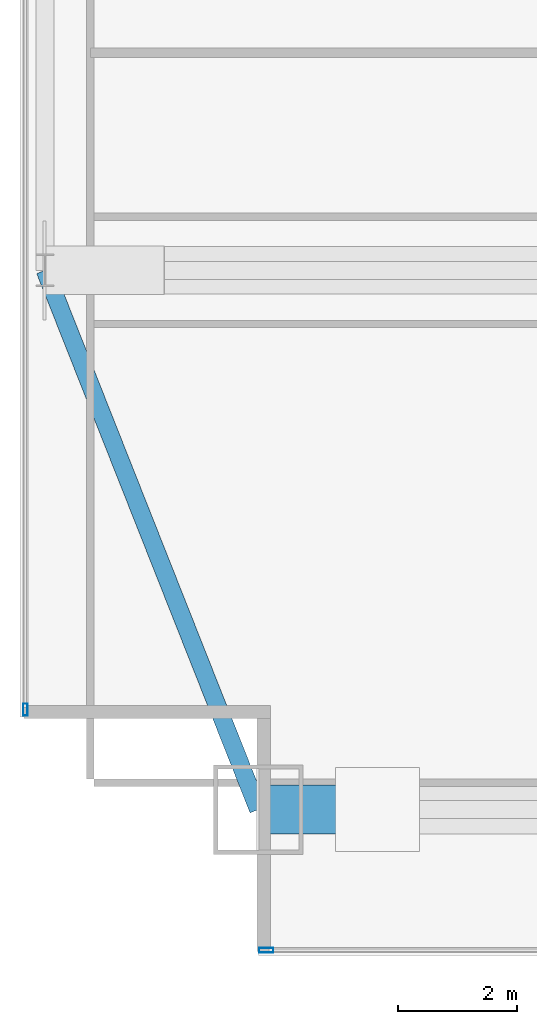
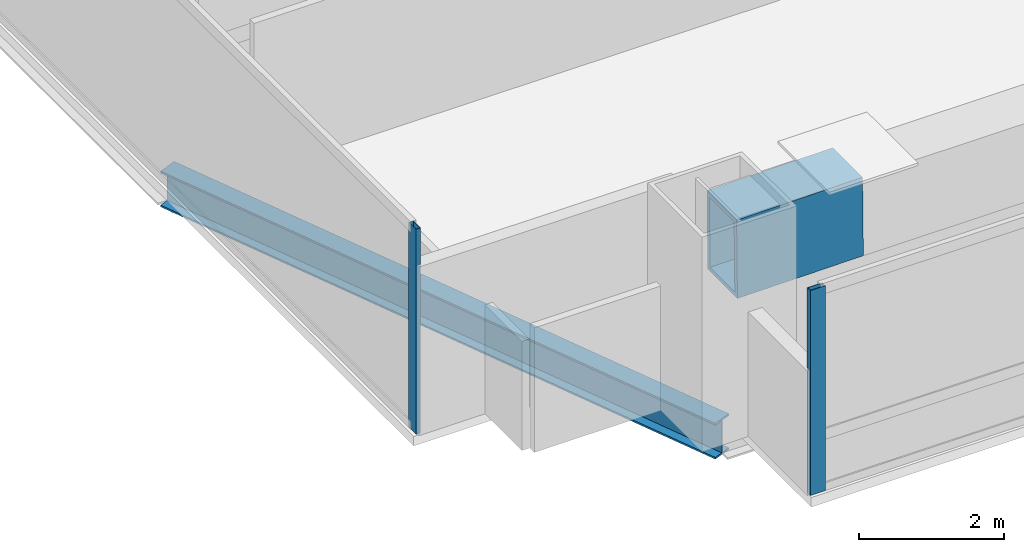
# One storey, part 5 of 30: 2 beams, 2 members, 2 elements without a shape of their own.
"""IFC4 building model written with IfcOpenShell, lengths in metres."""

from ifc_helpers import new_model, si_unit, direction, frame, origin, origin_2d, place, context, subcontext, project, spatial, hollow_rectangle, i_section, extrude, material, material_profile, profile_set, type_object, element, aggregate, save


model = new_model("IFC4")

# Units and contexts
model_context = context("Model", 3, precision=1e-05, world=origin(), true_north=direction((0.0, 1.0)))
body_context = subcontext(model_context, "Body", "Model", "MODEL_VIEW")
ifc_project = project(units=[si_unit("LENGTHUNIT", "METRE"), si_unit("AREAUNIT", "SQUARE_METRE"), si_unit("VOLUMEUNIT", "CUBIC_METRE"), si_unit("PLANEANGLEUNIT", "RADIAN"), si_unit("MASSUNIT", "GRAM", prefix="KILO")], contexts=[model_context])

# Site, building, storey
site_placement = place(None, origin())
site = spatial("IfcSite", under=ifc_project, at=site_placement, CompositionType="ELEMENT")
building_placement = place(site_placement, origin())
building = spatial("IfcBuilding", under=site, at=building_placement, Name="Khoronbel Lancet Exchange", CompositionType="ELEMENT")
storey_placement = place(building_placement, frame((0.0, 0.0, 132.60009765625)))
storey = spatial("IfcBuildingStorey", under=building, at=storey_placement, Name="L32", CompositionType="ELEMENT", Elevation=132.60009765625)

# Beams
ifc_material_1 = material(Name="Steel S355", Category="steel")
ifc_material_profile_1 = material_profile(ifc_material_1, i_section(OverallWidth=0.300048828125, OverallDepth=0.60009765625, WebThickness=0.015380859375, FlangeThickness=0.030029296875, at=origin_2d()), Name="HEB 600")
ifc_profile_set_1 = profile_set([ifc_material_profile_1], Name="Steel S355")
beam_type_1 = type_object("IfcBeamType", Name="BM-BSP2", PredefinedType="SPANDREL", material=ifc_profile_set_1)
beam_1_placement = place(storey_placement, frame((3.27001953125, 19.199951171875, -0.460205078125), z_axis=(0.367850095026, -0.92988510451, 0.0), x_axis=(0.92988510451, 0.367850095026, 0.0)))
element("IfcBeam", 1, at=beam_1_placement, inside=storey, type_object=beam_type_1, Name="Level L32 perimeter spandrel beam SP21", PredefinedType="SPANDREL", context=body_context, shape_type="SweptSolid", body=[
    extrude(i_section(OverallWidth=0.300048828125, OverallDepth=0.60009765625, WebThickness=0.015380859375, FlangeThickness=0.030029296875, at=origin_2d()), origin(), (0.0, 0.0, 1.0), 9.732421875),
])
ifc_material_2 = material(Name="Steel S460", Category="steel")
ifc_material_profile_2 = material_profile(ifc_material_2, hollow_rectangle(XDim=0.820068359375, YDim=1.320068359375, WallThickness=0.070068359375, at=origin_2d()), Name="BOX 820x1320x70")
ifc_profile_set_2 = profile_set([ifc_material_profile_2], Name="Steel S460")
beam_type_2 = type_object("IfcBeamType", Name="BM-TG4", PredefinedType="USERDEFINED", material=ifc_profile_set_2)
beam_2_placement = place(storey_placement, frame((6.85009765625, 10.14990234375, 2.760009765625), z_axis=(0.999951120325, 0.0, 0.009887212005), x_axis=(0.0, 1.0, 0.0)))
element("IfcBeam", 2, at=beam_2_placement, inside=storey, type_object=beam_type_2, Name="Setback transfer knee-brace girder L32-MC-SW", ObjectType="TRANSFER GIRDER", PredefinedType="USERDEFINED", context=body_context, shape_type="SweptSolid", body=[
    extrude(hollow_rectangle(XDim=0.820068359375, YDim=1.320068359375, WallThickness=0.070068359375, at=origin_2d()), origin(), (0.0, 0.0, 1.0), 2.0),
])

# Curtain wall, member
ifc_material_3 = material(Name="Low-E Solar Control Insulating Glass", Category="glass")
curtain_wall_type_1 = type_object("IfcCurtainWallType", Name="CW-2", PredefinedType="NOTDEFINED", material=ifc_material_3)
curtain_wall_1_placement = place(storey_placement, origin())
curtain_wall_1 = element("IfcCurtainWall", 3, at=curtain_wall_1_placement, inside=storey, type_object=curtain_wall_type_1, Name="Unitised curtain wall CW-L32-SWV", PredefinedType="NOTDEFINED")
ifc_material_4 = material(Name="Bronze-Anodised Aluminium 6063-T6", Category="aluminium")
ifc_material_profile_3 = material_profile(ifc_material_4, hollow_rectangle(XDim=0.0849609375, YDim=0.239990234375, WallThickness=0.006103515625, at=origin_2d()), Name="ALU MULLION 85x240")
ifc_profile_set_3 = profile_set([ifc_material_profile_3], Name="Bronze-Anodised Aluminium 6063-T6")
member_type_1 = type_object("IfcMemberType", Name="MEM-CWM1", PredefinedType="MULLION", material=ifc_profile_set_3)
member_1_placement = place(storey_placement, frame((6.982421875, 7.7900390625, 0.0), z_axis=(0.0, 0.0, 1.0), x_axis=(0.0, 1.0, 0.0)))
member_1 = element("IfcMember", 4, at=member_1_placement, type_object=member_type_1, Name="CW2 mullion 1", PredefinedType="MULLION", context=body_context, shape_type="SweptSolid", body=[
    extrude(hollow_rectangle(XDim=0.0849609375, YDim=0.239990234375, WallThickness=0.006103515625, at=origin_2d()), origin(), (0.0, 0.0, 1.0), 3.43994140625),
])
aggregate(curtain_wall_1, [member_1])

curtain_wall_type_2 = type_object("IfcCurtainWallType", Name="CW-4", PredefinedType="NOTDEFINED", material=ifc_material_3)
curtain_wall_2_placement = place(storey_placement, origin())
curtain_wall_2 = element("IfcCurtainWall", 5, at=curtain_wall_2_placement, inside=storey, type_object=curtain_wall_type_2, Name="Unitised curtain wall CW-L32-E03", PredefinedType="NOTDEFINED")
ifc_material_profile_4 = material_profile(ifc_material_4, hollow_rectangle(XDim=0.074951171875, YDim=0.199951171875, WallThickness=0.0048828125, at=origin_2d()), Name="ALU MULLION 75x200")
ifc_profile_set_4 = profile_set([ifc_material_profile_4], Name="Bronze-Anodised Aluminium 6063-T6")
member_type_2 = type_object("IfcMemberType", Name="MEM-CWM2", PredefinedType="MULLION", material=ifc_profile_set_4)
member_2_placement = place(storey_placement, frame((2.93994140625, 11.827392578125, 0.0), z_axis=(0.0, 0.0, 1.0), x_axis=(-1.0, 0.0, 0.0)))
member_2 = element("IfcMember", 6, at=member_2_placement, type_object=member_type_2, Name="CW4 mullion 1", PredefinedType="MULLION", context=body_context, shape_type="SweptSolid", body=[
    extrude(hollow_rectangle(XDim=0.074951171875, YDim=0.199951171875, WallThickness=0.0048828125, at=origin_2d()), origin(), (0.0, 0.0, 1.0), 3.43994140625),
])
aggregate(curtain_wall_2, [member_2])

save(model, "model.ifc")
